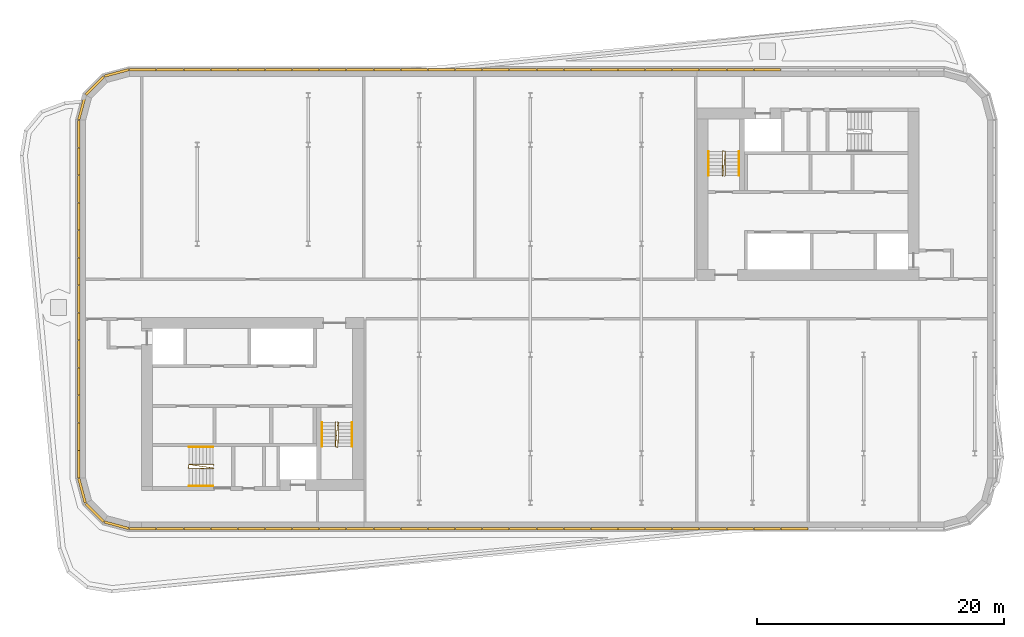
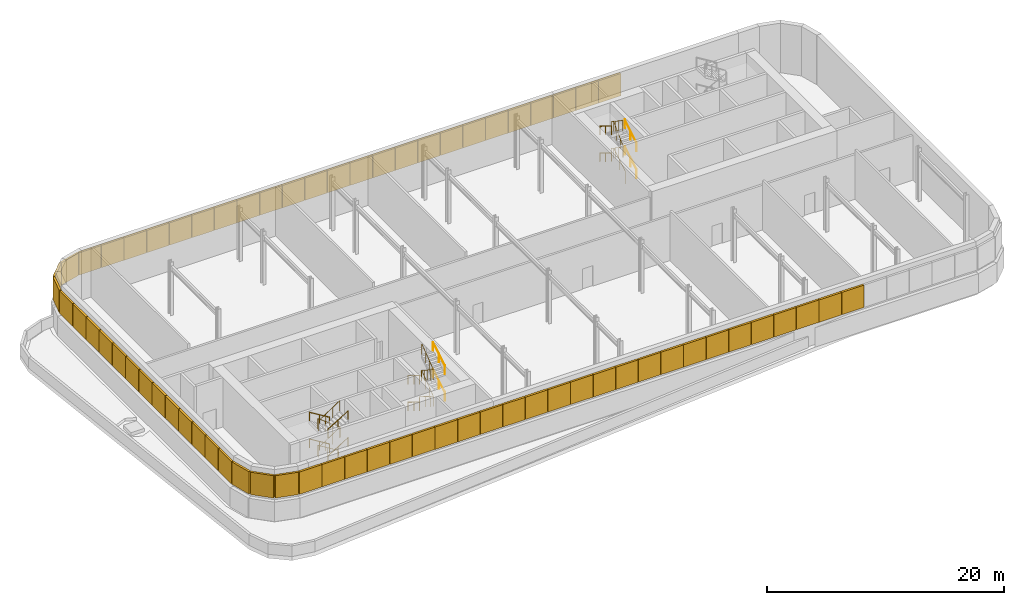
# One storey, part 14 of 16: 68 shading devices, 15 railings.
"""IFC4 building model written with IfcOpenShell, lengths in metres."""

from ifc_helpers import new_model, si_unit, direction, frame, origin, origin_2d, place, context, subcontext, project, spatial, rectangle, circle, extrude, material, type_object, element, save


model = new_model("IFC4")

# Units and contexts
model_context = context("Model", 3, precision=1e-05, world=origin(), true_north=direction((0.0, 1.0)))
body_context = subcontext(model_context, "Body", "Model", "MODEL_VIEW")
ifc_project = project(units=[si_unit("LENGTHUNIT", "METRE"), si_unit("AREAUNIT", "SQUARE_METRE"), si_unit("VOLUMEUNIT", "CUBIC_METRE"), si_unit("PLANEANGLEUNIT", "RADIAN"), si_unit("MASSUNIT", "GRAM", prefix="KILO")], contexts=[model_context])

# Site, building, storey
site_placement = place(None, origin())
site = spatial("IfcSite", under=ifc_project, at=site_placement, CompositionType="ELEMENT")
building_placement = place(site_placement, origin())
building = spatial("IfcBuilding", under=site, at=building_placement, Name="Kajstack Hotel Tower", CompositionType="ELEMENT")
storey_placement = place(building_placement, frame((0.0, 0.0, 308.10009765625)))
storey = spatial("IfcBuildingStorey", under=building, at=storey_placement, Name="L78", CompositionType="ELEMENT", Elevation=308.10009765625)

# Railings
ifc_material = material(Name="Steel S355J2", Category="steel")
railing_type_1 = type_object("IfcRailingType", Name="Stair guard 1100", PredefinedType="GUARDRAIL", material=ifc_material)
railing_1_placement = place(storey_placement, frame((-15.75, -9.949951171875, 0.0)))
element("IfcRailing", 1, at=railing_1_placement, inside=storey, type_object=railing_type_1, Name="L78 W2 stair guard 1", PredefinedType="GUARDRAIL", context=body_context, shape_type="SweptSolid", body=[
    extrude(circle(Radius=0.02392578125, at=origin_2d()), frame((0.0, 0.0, 1.076171875), z_axis=(-0.269255725606, -0.269255725606, 0.92466356501), x_axis=(0.707106781187, -0.707106781187, 0.0)), (0.0, 0.0, 1.0), 0.185791015625),
    extrude(circle(Radius=0.02392578125, at=origin_2d()), frame((-0.050048828125, -0.050048828125, 1.248046875), z_axis=(0.0, -0.852240978134, 0.523149419562), x_axis=(1.0, 0.0, 0.0)), (0.0, 0.0, 1.0), 2.2998046875),
    extrude(circle(Radius=0.02392578125, at=origin_2d()), frame((-0.050048828125, -2.010009765625, 2.451171875), z_axis=(0.970072785993, -0.242814311512, 0.0), x_axis=(0.242814311512, 0.970072785993, 0.0)), (0.0, 0.0, 1.0), 0.2060546875),
    extrude(circle(Radius=0.02392578125, at=origin_2d()), frame((0.14990234375, -2.06005859375, 2.451171875), z_axis=(0.0205469275, 0.825184654201, 0.564489247232), x_axis=(-0.999690144217, 0.024892078169, 0.0)), (0.0, 0.0, 1.0), 2.435791015625),
    extrude(circle(Radius=0.02392578125, at=origin_2d()), frame((0.199951171875, -0.050048828125, 3.826171875), z_axis=(-0.707106781187, 0.707106781187, 0.0), x_axis=(-0.707106781187, -0.707106781187, 0.0)), (0.0, 0.0, 1.0), 0.07080078125),
    extrude(circle(Radius=0.02392578125, at=origin_2d()), frame((0.14990234375, 0.0, 3.826171875), z_axis=(-0.081829463127, -0.822590927871, 0.562714940577), x_axis=(0.995088514891, -0.098989128349, 0.0)), (0.0, 0.0, 1.0), 2.443603515625),
    extrude(circle(Radius=0.02392578125, at=origin_2d()), frame((-0.050048828125, -2.010009765625, 5.201171875), z_axis=(0.970072785993, -0.242814311512, 0.0), x_axis=(0.242814311512, 0.970072785993, 0.0)), (0.0, 0.0, 1.0), 0.2060546875),
    extrude(circle(Radius=0.02392578125, at=origin_2d()), frame((0.14990234375, -2.06005859375, 5.201171875), z_axis=(0.0205469275, 0.825184654201, 0.564489247232), x_axis=(-0.999690144217, 0.024892078169, 0.0)), (0.0, 0.0, 1.0), 2.435791015625),
    extrude(circle(Radius=0.02099609375, at=origin_2d()), origin(), (0.0, 0.0, 1.0), 1.052001953125),
    extrude(circle(Radius=0.02099609375, at=origin_2d()), frame((-0.050048828125, -0.050048828125, 0.171875)), (0.0, 0.0, 1.0), 1.052001953125),
    extrude(circle(Radius=0.02099609375, at=origin_2d()), frame((-0.050048828125, -1.030029296875, 0.7734375)), (0.0, 0.0, 1.0), 1.052001953125),
    extrude(circle(Radius=0.02099609375, at=origin_2d()), frame((-0.050048828125, -2.010009765625, 1.375)), (0.0, 0.0, 1.0), 1.052001953125),
    extrude(circle(Radius=0.02099609375, at=origin_2d()), frame((0.14990234375, -2.06005859375, 1.375)), (0.0, 0.0, 1.0), 1.052001953125),
    extrude(circle(Radius=0.02099609375, at=origin_2d()), frame((0.16650390625, -1.39013671875, 1.833251953125)), (0.0, 0.0, 1.0), 1.052001953125),
    extrude(circle(Radius=0.02099609375, at=origin_2d()), frame((0.183349609375, -0.719970703125, 2.291748046875)), (0.0, 0.0, 1.0), 1.052001953125),
    extrude(circle(Radius=0.02099609375, at=origin_2d()), frame((0.199951171875, -0.050048828125, 2.75)), (0.0, 0.0, 1.0), 1.052001953125),
    extrude(circle(Radius=0.02099609375, at=origin_2d()), frame((0.14990234375, 0.0, 2.75)), (0.0, 0.0, 1.0), 1.052001953125),
    extrude(circle(Radius=0.02099609375, at=origin_2d()), frame((0.083251953125, -0.669921875, 3.208251953125)), (0.0, 0.0, 1.0), 1.052001953125),
    extrude(circle(Radius=0.02099609375, at=origin_2d()), frame((0.0166015625, -1.340087890625, 3.666748046875)), (0.0, 0.0, 1.0), 1.052001953125),
    extrude(circle(Radius=0.02099609375, at=origin_2d()), frame((-0.050048828125, -2.010009765625, 4.125)), (0.0, 0.0, 1.0), 1.052001953125),
    extrude(circle(Radius=0.02099609375, at=origin_2d()), frame((0.14990234375, -2.06005859375, 4.125)), (0.0, 0.0, 1.0), 1.052001953125),
    extrude(circle(Radius=0.02099609375, at=origin_2d()), frame((0.16650390625, -1.39013671875, 4.583251953125)), (0.0, 0.0, 1.0), 1.052001953125),
    extrude(circle(Radius=0.02099609375, at=origin_2d()), frame((0.183349609375, -0.719970703125, 5.041748046875)), (0.0, 0.0, 1.0), 1.052001953125),
    extrude(circle(Radius=0.02099609375, at=origin_2d()), frame((0.199951171875, -0.050048828125, 5.5)), (0.0, 0.0, 1.0), 1.052001953125),
])
railing_2_placement = place(storey_placement, frame((-25.64990234375, -13.449951171875, 0.0)))
element("IfcRailing", 2, at=railing_2_placement, inside=storey, type_object=railing_type_1, Name="L78 W3 stair guard 1", PredefinedType="GUARDRAIL", context=body_context, shape_type="SweptSolid", body=[
    extrude(circle(Radius=0.02392578125, at=origin_2d()), frame((0.0, 0.0, 1.076171875), z_axis=(-0.269255725606, 0.269255725606, 0.92466356501), x_axis=(-0.707106781187, -0.707106781187, 0.0)), (0.0, 0.0, 1.0), 0.185791015625),
    extrude(circle(Radius=0.02392578125, at=origin_2d()), frame((-0.050048828125, 0.050048828125, 1.248046875), z_axis=(-0.852240978134, 0.0, 0.523149419562), x_axis=(0.0, -1.0, 0.0)), (0.0, 0.0, 1.0), 2.2998046875),
    extrude(circle(Radius=0.02392578125, at=origin_2d()), frame((-2.010009765625, 0.050048828125, 2.451171875), z_axis=(-0.164529134168, -0.986372223864, 0.0), x_axis=(0.986372223864, -0.164529134168, 0.0)), (0.0, 0.0, 1.0), 0.30419921875),
    extrude(circle(Radius=0.02392578125, at=origin_2d()), frame((-2.06005859375, -0.25, 2.451171875), z_axis=(0.825184654201, -0.0205469275, 0.564489247232), x_axis=(0.024892078169, 0.999690144217, 0.0)), (0.0, 0.0, 1.0), 2.435791015625),
    extrude(circle(Radius=0.02392578125, at=origin_2d()), frame((-0.050048828125, -0.300048828125, 3.826171875), z_axis=(0.707106781187, 0.707106781187, 0.0), x_axis=(-0.707106781187, 0.707106781187, 0.0)), (0.0, 0.0, 1.0), 0.07080078125),
    extrude(circle(Radius=0.02392578125, at=origin_2d()), frame((0.0, -0.25, 3.826171875), z_axis=(-0.819164832413, 0.122282713353, 0.560371229947), x_axis=(-0.147641363338, -0.989040963677, 0.0)), (0.0, 0.0, 1.0), 2.45361328125),
    extrude(circle(Radius=0.02392578125, at=origin_2d()), frame((-2.010009765625, 0.050048828125, 5.201171875), z_axis=(-0.164529134168, -0.986372223864, 0.0), x_axis=(0.986372223864, -0.164529134168, 0.0)), (0.0, 0.0, 1.0), 0.30419921875),
    extrude(circle(Radius=0.02392578125, at=origin_2d()), frame((-2.06005859375, -0.25, 5.201171875), z_axis=(0.825184654201, -0.0205469275, 0.564489247232), x_axis=(0.024892078169, 0.999690144217, 0.0)), (0.0, 0.0, 1.0), 2.435791015625),
    extrude(circle(Radius=0.02099609375, at=origin_2d()), origin(), (0.0, 0.0, 1.0), 1.052001953125),
    extrude(circle(Radius=0.02099609375, at=origin_2d()), frame((-0.050048828125, 0.050048828125, 0.171875)), (0.0, 0.0, 1.0), 1.052001953125),
    extrude(circle(Radius=0.02099609375, at=origin_2d()), frame((-1.030029296875, 0.050048828125, 0.7734375)), (0.0, 0.0, 1.0), 1.052001953125),
    extrude(circle(Radius=0.02099609375, at=origin_2d()), frame((-2.010009765625, 0.050048828125, 1.375)), (0.0, 0.0, 1.0), 1.052001953125),
    extrude(circle(Radius=0.02099609375, at=origin_2d()), frame((-2.06005859375, -0.25, 1.375)), (0.0, 0.0, 1.0), 1.052001953125),
    extrude(circle(Radius=0.02099609375, at=origin_2d()), frame((-1.39013671875, -0.2666015625, 1.833251953125)), (0.0, 0.0, 1.0), 1.052001953125),
    extrude(circle(Radius=0.02099609375, at=origin_2d()), frame((-0.719970703125, -0.283447265625, 2.291748046875)), (0.0, 0.0, 1.0), 1.052001953125),
    extrude(circle(Radius=0.02099609375, at=origin_2d()), frame((-0.050048828125, -0.300048828125, 2.75)), (0.0, 0.0, 1.0), 1.052001953125),
    extrude(circle(Radius=0.02099609375, at=origin_2d()), frame((0.0, -0.25, 2.75)), (0.0, 0.0, 1.0), 1.052001953125),
    extrude(circle(Radius=0.02099609375, at=origin_2d()), frame((-0.669921875, -0.14990234375, 3.208251953125)), (0.0, 0.0, 1.0), 1.052001953125),
    extrude(circle(Radius=0.02099609375, at=origin_2d()), frame((-1.340087890625, -0.050048828125, 3.666748046875)), (0.0, 0.0, 1.0), 1.052001953125),
    extrude(circle(Radius=0.02099609375, at=origin_2d()), frame((-2.010009765625, 0.050048828125, 4.125)), (0.0, 0.0, 1.0), 1.052001953125),
    extrude(circle(Radius=0.02099609375, at=origin_2d()), frame((-2.06005859375, -0.25, 4.125)), (0.0, 0.0, 1.0), 1.052001953125),
    extrude(circle(Radius=0.02099609375, at=origin_2d()), frame((-1.39013671875, -0.2666015625, 4.583251953125)), (0.0, 0.0, 1.0), 1.052001953125),
    extrude(circle(Radius=0.02099609375, at=origin_2d()), frame((-0.719970703125, -0.283447265625, 5.041748046875)), (0.0, 0.0, 1.0), 1.052001953125),
    extrude(circle(Radius=0.02099609375, at=origin_2d()), frame((-0.050048828125, -0.300048828125, 5.5)), (0.0, 0.0, 1.0), 1.052001953125),
])
railing_3_placement = place(storey_placement, frame((15.75, 9.949951171875, 0.0)))
element("IfcRailing", 3, at=railing_3_placement, inside=storey, type_object=railing_type_1, Name="L78 E2 stair guard 1", PredefinedType="GUARDRAIL", context=body_context, shape_type="SweptSolid", body=[
    extrude(circle(Radius=0.02392578125, at=origin_2d()), frame((0.0, 0.0, 1.076171875), z_axis=(0.269255725606, 0.269255725606, 0.92466356501), x_axis=(-0.707106781187, 0.707106781187, 0.0)), (0.0, 0.0, 1.0), 0.185791015625),
    extrude(circle(Radius=0.02392578125, at=origin_2d()), frame((0.050048828125, 0.050048828125, 1.248046875), z_axis=(0.0, 0.852240978134, 0.523149419562), x_axis=(-1.0, 0.0, 0.0)), (0.0, 0.0, 1.0), 2.2998046875),
    extrude(circle(Radius=0.02392578125, at=origin_2d()), frame((0.050048828125, 2.010009765625, 2.451171875), z_axis=(-0.970072785993, 0.242814311512, 0.0), x_axis=(-0.242814311512, -0.970072785993, 0.0)), (0.0, 0.0, 1.0), 0.2060546875),
    extrude(circle(Radius=0.02392578125, at=origin_2d()), frame((-0.14990234375, 2.06005859375, 2.451171875), z_axis=(-0.0205469275, -0.825184654201, 0.564489247232), x_axis=(0.999690144217, -0.024892078169, 0.0)), (0.0, 0.0, 1.0), 2.435791015625),
    extrude(circle(Radius=0.02392578125, at=origin_2d()), frame((-0.199951171875, 0.050048828125, 3.826171875), z_axis=(0.707106781187, -0.707106781187, 0.0), x_axis=(0.707106781187, 0.707106781187, 0.0)), (0.0, 0.0, 1.0), 0.07080078125),
    extrude(circle(Radius=0.02392578125, at=origin_2d()), frame((-0.14990234375, 0.0, 3.826171875), z_axis=(0.081829463127, 0.822590927871, 0.562714940577), x_axis=(-0.995088514891, 0.098989128349, 0.0)), (0.0, 0.0, 1.0), 2.443603515625),
    extrude(circle(Radius=0.02392578125, at=origin_2d()), frame((0.050048828125, 2.010009765625, 5.201171875), z_axis=(-0.970072785993, 0.242814311512, 0.0), x_axis=(-0.242814311512, -0.970072785993, 0.0)), (0.0, 0.0, 1.0), 0.2060546875),
    extrude(circle(Radius=0.02392578125, at=origin_2d()), frame((-0.14990234375, 2.06005859375, 5.201171875), z_axis=(-0.0205469275, -0.825184654201, 0.564489247232), x_axis=(0.999690144217, -0.024892078169, 0.0)), (0.0, 0.0, 1.0), 2.435791015625),
    extrude(circle(Radius=0.02099609375, at=origin_2d()), origin(), (0.0, 0.0, 1.0), 1.052001953125),
    extrude(circle(Radius=0.02099609375, at=origin_2d()), frame((0.050048828125, 0.050048828125, 0.171875)), (0.0, 0.0, 1.0), 1.052001953125),
    extrude(circle(Radius=0.02099609375, at=origin_2d()), frame((0.050048828125, 1.030029296875, 0.7734375)), (0.0, 0.0, 1.0), 1.052001953125),
    extrude(circle(Radius=0.02099609375, at=origin_2d()), frame((0.050048828125, 2.010009765625, 1.375)), (0.0, 0.0, 1.0), 1.052001953125),
    extrude(circle(Radius=0.02099609375, at=origin_2d()), frame((-0.14990234375, 2.06005859375, 1.375)), (0.0, 0.0, 1.0), 1.052001953125),
    extrude(circle(Radius=0.02099609375, at=origin_2d()), frame((-0.16650390625, 1.39013671875, 1.833251953125)), (0.0, 0.0, 1.0), 1.052001953125),
    extrude(circle(Radius=0.02099609375, at=origin_2d()), frame((-0.183349609375, 0.719970703125, 2.291748046875)), (0.0, 0.0, 1.0), 1.052001953125),
    extrude(circle(Radius=0.02099609375, at=origin_2d()), frame((-0.199951171875, 0.050048828125, 2.75)), (0.0, 0.0, 1.0), 1.052001953125),
    extrude(circle(Radius=0.02099609375, at=origin_2d()), frame((-0.14990234375, 0.0, 2.75)), (0.0, 0.0, 1.0), 1.052001953125),
    extrude(circle(Radius=0.02099609375, at=origin_2d()), frame((-0.083251953125, 0.669921875, 3.208251953125)), (0.0, 0.0, 1.0), 1.052001953125),
    extrude(circle(Radius=0.02099609375, at=origin_2d()), frame((-0.0166015625, 1.340087890625, 3.666748046875)), (0.0, 0.0, 1.0), 1.052001953125),
    extrude(circle(Radius=0.02099609375, at=origin_2d()), frame((0.050048828125, 2.010009765625, 4.125)), (0.0, 0.0, 1.0), 1.052001953125),
    extrude(circle(Radius=0.02099609375, at=origin_2d()), frame((-0.14990234375, 2.06005859375, 4.125)), (0.0, 0.0, 1.0), 1.052001953125),
    extrude(circle(Radius=0.02099609375, at=origin_2d()), frame((-0.16650390625, 1.39013671875, 4.583251953125)), (0.0, 0.0, 1.0), 1.052001953125),
    extrude(circle(Radius=0.02099609375, at=origin_2d()), frame((-0.183349609375, 0.719970703125, 5.041748046875)), (0.0, 0.0, 1.0), 1.052001953125),
    extrude(circle(Radius=0.02099609375, at=origin_2d()), frame((-0.199951171875, 0.050048828125, 5.5)), (0.0, 0.0, 1.0), 1.052001953125),
])
railing_type_2 = type_object("IfcRailingType", Name="Stair handrail 900", PredefinedType="HANDRAIL", material=ifc_material)
railing_4_placement = place(storey_placement, frame((-16.89990234375, -10.0, 0.171875)))
element("IfcRailing", 4, at=railing_4_placement, inside=storey, type_object=railing_type_2, Name="L78 W2 stair handrail 1", PredefinedType="HANDRAIL", context=body_context, shape_type="SweptSolid", body=[
    extrude(circle(Radius=0.02392578125, at=origin_2d()), frame((0.0, 0.0, 0.8759765625), z_axis=(0.0, -0.852240978134, 0.523149419562), x_axis=(1.0, 0.0, 0.0)), (0.0, 0.0, 1.0), 2.2998046875),
    extrude(circle(Radius=0.02099609375, at=origin_2d()), origin(), (0.0, 0.0, 1.0), 0.851806640625),
    extrude(circle(Radius=0.02099609375, at=origin_2d()), frame((0.0, -0.97998046875, 0.6015625)), (0.0, 0.0, 1.0), 0.851806640625),
    extrude(circle(Radius=0.02099609375, at=origin_2d()), frame((0.0, -1.9599609375, 1.203125)), (0.0, 0.0, 1.0), 0.851806640625),
])
railing_5_placement = place(storey_placement, frame((-14.449951171875, -11.9599609375, 1.546875)))
element("IfcRailing", 5, at=railing_5_placement, inside=storey, type_object=railing_type_2, Name="L78 W2 stair handrail 2", PredefinedType="HANDRAIL", context=body_context, shape_type="SweptSolid", body=[
    extrude(circle(Radius=0.02392578125, at=origin_2d()), frame((0.0, 0.0, 0.8759765625), z_axis=(0.0, 0.852240978134, 0.523149419562), x_axis=(-1.0, 0.0, 0.0)), (0.0, 0.0, 1.0), 2.2998046875),
    extrude(circle(Radius=0.02099609375, at=origin_2d()), origin(), (0.0, 0.0, 1.0), 0.851806640625),
    extrude(circle(Radius=0.02099609375, at=origin_2d()), frame((0.0, 0.97998046875, 0.6015625)), (0.0, 0.0, 1.0), 0.851806640625),
    extrude(circle(Radius=0.02099609375, at=origin_2d()), frame((0.0, 1.9599609375, 1.203125)), (0.0, 0.0, 1.0), 0.851806640625),
])
railing_6_placement = place(storey_placement, frame((-16.89990234375, -10.0, 2.921875)))
element("IfcRailing", 6, at=railing_6_placement, inside=storey, type_object=railing_type_2, Name="L78 W2 stair handrail 3", PredefinedType="HANDRAIL", context=body_context, shape_type="SweptSolid", body=[
    extrude(circle(Radius=0.02392578125, at=origin_2d()), frame((0.0, 0.0, 0.8759765625), z_axis=(0.0, -0.852240978134, 0.523149419562), x_axis=(1.0, 0.0, 0.0)), (0.0, 0.0, 1.0), 2.2998046875),
    extrude(circle(Radius=0.02099609375, at=origin_2d()), origin(), (0.0, 0.0, 1.0), 0.851806640625),
    extrude(circle(Radius=0.02099609375, at=origin_2d()), frame((0.0, -0.97998046875, 0.6015625)), (0.0, 0.0, 1.0), 0.851806640625),
    extrude(circle(Radius=0.02099609375, at=origin_2d()), frame((0.0, -1.9599609375, 1.203125)), (0.0, 0.0, 1.0), 0.851806640625),
])
railing_7_placement = place(storey_placement, frame((-14.449951171875, -11.9599609375, 4.296875)))
element("IfcRailing", 7, at=railing_7_placement, inside=storey, type_object=railing_type_2, Name="L78 W2 stair handrail 4", PredefinedType="HANDRAIL", context=body_context, shape_type="SweptSolid", body=[
    extrude(circle(Radius=0.02392578125, at=origin_2d()), frame((0.0, 0.0, 0.8759765625), z_axis=(0.0, 0.852240978134, 0.523149419562), x_axis=(-1.0, 0.0, 0.0)), (0.0, 0.0, 1.0), 2.2998046875),
    extrude(circle(Radius=0.02099609375, at=origin_2d()), origin(), (0.0, 0.0, 1.0), 0.851806640625),
    extrude(circle(Radius=0.02099609375, at=origin_2d()), frame((0.0, 0.97998046875, 0.6015625)), (0.0, 0.0, 1.0), 0.851806640625),
    extrude(circle(Radius=0.02099609375, at=origin_2d()), frame((0.0, 1.9599609375, 1.203125)), (0.0, 0.0, 1.0), 0.851806640625),
])
railing_8_placement = place(storey_placement, frame((-25.699951171875, -12.0, 0.171875)))
element("IfcRailing", 8, at=railing_8_placement, inside=storey, type_object=railing_type_2, Name="L78 W3 stair handrail 1", PredefinedType="HANDRAIL", context=body_context, shape_type="SweptSolid", body=[
    extrude(circle(Radius=0.02392578125, at=origin_2d()), frame((0.0, 0.0, 0.8759765625), z_axis=(-0.852240978134, 0.0, 0.523149419562), x_axis=(0.0, -1.0, 0.0)), (0.0, 0.0, 1.0), 2.2998046875),
    extrude(circle(Radius=0.02099609375, at=origin_2d()), origin(), (0.0, 0.0, 1.0), 0.851806640625),
    extrude(circle(Radius=0.02099609375, at=origin_2d()), frame((-0.97998046875, 0.0, 0.6015625)), (0.0, 0.0, 1.0), 0.851806640625),
    extrude(circle(Radius=0.02099609375, at=origin_2d()), frame((-1.9599609375, 0.0, 1.203125)), (0.0, 0.0, 1.0), 0.851806640625),
])
railing_9_placement = place(storey_placement, frame((-27.659912109375, -15.14990234375, 1.546875)))
element("IfcRailing", 9, at=railing_9_placement, inside=storey, type_object=railing_type_2, Name="L78 W3 stair handrail 2", PredefinedType="HANDRAIL", context=body_context, shape_type="SweptSolid", body=[
    extrude(circle(Radius=0.02392578125, at=origin_2d()), frame((0.0, 0.0, 0.8759765625), z_axis=(0.852240978134, 0.0, 0.523149419562), x_axis=(0.0, 1.0, 0.0)), (0.0, 0.0, 1.0), 2.2998046875),
    extrude(circle(Radius=0.02099609375, at=origin_2d()), origin(), (0.0, 0.0, 1.0), 0.851806640625),
    extrude(circle(Radius=0.02099609375, at=origin_2d()), frame((0.97998046875, 0.0, 0.6015625)), (0.0, 0.0, 1.0), 0.851806640625),
    extrude(circle(Radius=0.02099609375, at=origin_2d()), frame((1.9599609375, 0.0, 1.203125)), (0.0, 0.0, 1.0), 0.851806640625),
])
railing_10_placement = place(storey_placement, frame((-25.699951171875, -12.0, 2.921875)))
element("IfcRailing", 10, at=railing_10_placement, inside=storey, type_object=railing_type_2, Name="L78 W3 stair handrail 3", PredefinedType="HANDRAIL", context=body_context, shape_type="SweptSolid", body=[
    extrude(circle(Radius=0.02392578125, at=origin_2d()), frame((0.0, 0.0, 0.8759765625), z_axis=(-0.852240978134, 0.0, 0.523149419562), x_axis=(0.0, -1.0, 0.0)), (0.0, 0.0, 1.0), 2.2998046875),
    extrude(circle(Radius=0.02099609375, at=origin_2d()), origin(), (0.0, 0.0, 1.0), 0.851806640625),
    extrude(circle(Radius=0.02099609375, at=origin_2d()), frame((-0.97998046875, 0.0, 0.6015625)), (0.0, 0.0, 1.0), 0.851806640625),
    extrude(circle(Radius=0.02099609375, at=origin_2d()), frame((-1.9599609375, 0.0, 1.203125)), (0.0, 0.0, 1.0), 0.851806640625),
])
railing_11_placement = place(storey_placement, frame((-27.659912109375, -15.14990234375, 4.296875)))
element("IfcRailing", 11, at=railing_11_placement, inside=storey, type_object=railing_type_2, Name="L78 W3 stair handrail 4", PredefinedType="HANDRAIL", context=body_context, shape_type="SweptSolid", body=[
    extrude(circle(Radius=0.02392578125, at=origin_2d()), frame((0.0, 0.0, 0.8759765625), z_axis=(0.852240978134, 0.0, 0.523149419562), x_axis=(0.0, 1.0, 0.0)), (0.0, 0.0, 1.0), 2.2998046875),
    extrude(circle(Radius=0.02099609375, at=origin_2d()), origin(), (0.0, 0.0, 1.0), 0.851806640625),
    extrude(circle(Radius=0.02099609375, at=origin_2d()), frame((0.97998046875, 0.0, 0.6015625)), (0.0, 0.0, 1.0), 0.851806640625),
    extrude(circle(Radius=0.02099609375, at=origin_2d()), frame((1.9599609375, 0.0, 1.203125)), (0.0, 0.0, 1.0), 0.851806640625),
])
railing_12_placement = place(storey_placement, frame((16.89990234375, 10.0, 0.171875)))
element("IfcRailing", 12, at=railing_12_placement, inside=storey, type_object=railing_type_2, Name="L78 E2 stair handrail 1", PredefinedType="HANDRAIL", context=body_context, shape_type="SweptSolid", body=[
    extrude(circle(Radius=0.02392578125, at=origin_2d()), frame((0.0, 0.0, 0.8759765625), z_axis=(0.0, 0.852240978134, 0.523149419562), x_axis=(-1.0, 0.0, 0.0)), (0.0, 0.0, 1.0), 2.2998046875),
    extrude(circle(Radius=0.02099609375, at=origin_2d()), origin(), (0.0, 0.0, 1.0), 0.851806640625),
    extrude(circle(Radius=0.02099609375, at=origin_2d()), frame((0.0, 0.97998046875, 0.6015625)), (0.0, 0.0, 1.0), 0.851806640625),
    extrude(circle(Radius=0.02099609375, at=origin_2d()), frame((0.0, 1.9599609375, 1.203125)), (0.0, 0.0, 1.0), 0.851806640625),
])
railing_13_placement = place(storey_placement, frame((14.449951171875, 11.9599609375, 1.546875)))
element("IfcRailing", 13, at=railing_13_placement, inside=storey, type_object=railing_type_2, Name="L78 E2 stair handrail 2", PredefinedType="HANDRAIL", context=body_context, shape_type="SweptSolid", body=[
    extrude(circle(Radius=0.02392578125, at=origin_2d()), frame((0.0, 0.0, 0.8759765625), z_axis=(0.0, -0.852240978134, 0.523149419562), x_axis=(1.0, 0.0, 0.0)), (0.0, 0.0, 1.0), 2.2998046875),
    extrude(circle(Radius=0.02099609375, at=origin_2d()), origin(), (0.0, 0.0, 1.0), 0.851806640625),
    extrude(circle(Radius=0.02099609375, at=origin_2d()), frame((0.0, -0.97998046875, 0.6015625)), (0.0, 0.0, 1.0), 0.851806640625),
    extrude(circle(Radius=0.02099609375, at=origin_2d()), frame((0.0, -1.9599609375, 1.203125)), (0.0, 0.0, 1.0), 0.851806640625),
])
railing_14_placement = place(storey_placement, frame((16.89990234375, 10.0, 2.921875)))
element("IfcRailing", 14, at=railing_14_placement, inside=storey, type_object=railing_type_2, Name="L78 E2 stair handrail 3", PredefinedType="HANDRAIL", context=body_context, shape_type="SweptSolid", body=[
    extrude(circle(Radius=0.02392578125, at=origin_2d()), frame((0.0, 0.0, 0.8759765625), z_axis=(0.0, 0.852240978134, 0.523149419562), x_axis=(-1.0, 0.0, 0.0)), (0.0, 0.0, 1.0), 2.2998046875),
    extrude(circle(Radius=0.02099609375, at=origin_2d()), origin(), (0.0, 0.0, 1.0), 0.851806640625),
    extrude(circle(Radius=0.02099609375, at=origin_2d()), frame((0.0, 0.97998046875, 0.6015625)), (0.0, 0.0, 1.0), 0.851806640625),
    extrude(circle(Radius=0.02099609375, at=origin_2d()), frame((0.0, 1.9599609375, 1.203125)), (0.0, 0.0, 1.0), 0.851806640625),
])
railing_15_placement = place(storey_placement, frame((14.449951171875, 11.9599609375, 4.296875)))
element("IfcRailing", 15, at=railing_15_placement, inside=storey, type_object=railing_type_2, Name="L78 E2 stair handrail 4", PredefinedType="HANDRAIL", context=body_context, shape_type="SweptSolid", body=[
    extrude(circle(Radius=0.02392578125, at=origin_2d()), frame((0.0, 0.0, 0.8759765625), z_axis=(0.0, -0.852240978134, 0.523149419562), x_axis=(1.0, 0.0, 0.0)), (0.0, 0.0, 1.0), 2.2998046875),
    extrude(circle(Radius=0.02099609375, at=origin_2d()), origin(), (0.0, 0.0, 1.0), 0.851806640625),
    extrude(circle(Radius=0.02099609375, at=origin_2d()), frame((0.0, -0.97998046875, 0.6015625)), (0.0, 0.0, 1.0), 0.851806640625),
    extrude(circle(Radius=0.02099609375, at=origin_2d()), frame((0.0, -1.9599609375, 1.203125)), (0.0, 0.0, 1.0), 0.851806640625),
])

# Shading devices
for number, where, z_axis, x_axis, name in (
    (16, (-36.32861328125, -15.52587890625, 2.2998046875), (0.0, 0.0, 1.0), (0.258819770022, -0.965925632047, 0.0), "Louvre L78-00-01"),
    (17, (-35.302734375, -17.302734375, 2.2998046875), (0.0, 0.0, 1.0), (0.707106781187, -0.707106781187, 0.0), "Louvre L78-01-01"),
    (18, (-33.52587890625, -18.32861328125, 2.2998046875), (0.0, 0.0, 1.0), (0.965925632047, -0.258819770022, 0.0), "Louvre L78-02-01"),
):
    element("IfcShadingDevice", number, at=place(storey_placement, frame(where, z_axis=z_axis, x_axis=x_axis)), inside=storey, Name=name, ObjectType="LOUVRE", PredefinedType="USERDEFINED", context=body_context, shape_type="SweptSolid", body=[
        extrude(rectangle(XDim=2.030517578125, YDim=0.199951171875, at=origin_2d()), origin(), (0.0, 0.0, 1.0), 2.300048828125),
    ])
for number, where, z_axis, x_axis, name in (
    (19, (-31.39990234375, -18.60009765625, 2.2998046875), (0.0, 0.0, 1.0), (1.0, 0.0, 0.0), "Louvre L78-03-01"),
    (20, (-29.199951171875, -18.60009765625, 2.2998046875), (0.0, 0.0, 1.0), (1.0, 0.0, 0.0), "Louvre L78-03-02"),
    (21, (-27.0, -18.60009765625, 2.2998046875), (0.0, 0.0, 1.0), (1.0, 0.0, 0.0), "Louvre L78-03-03"),
    (22, (-24.800048828125, -18.60009765625, 2.2998046875), (0.0, 0.0, 1.0), (1.0, 0.0, 0.0), "Louvre L78-03-04"),
    (23, (-22.60009765625, -18.60009765625, 2.2998046875), (0.0, 0.0, 1.0), (1.0, 0.0, 0.0), "Louvre L78-03-05"),
    (24, (-20.39990234375, -18.60009765625, 2.2998046875), (0.0, 0.0, 1.0), (1.0, 0.0, 0.0), "Louvre L78-03-06"),
    (25, (-18.199951171875, -18.60009765625, 2.2998046875), (0.0, 0.0, 1.0), (1.0, 0.0, 0.0), "Louvre L78-03-07"),
    (26, (-16.0, -18.60009765625, 2.2998046875), (0.0, 0.0, 1.0), (1.0, 0.0, 0.0), "Louvre L78-03-08"),
    (27, (-13.800048828125, -18.60009765625, 2.2998046875), (0.0, 0.0, 1.0), (1.0, 0.0, 0.0), "Louvre L78-03-09"),
    (28, (-11.60009765625, -18.60009765625, 2.2998046875), (0.0, 0.0, 1.0), (1.0, 0.0, 0.0), "Louvre L78-03-10"),
    (29, (-9.39990234375, -18.60009765625, 2.2998046875), (0.0, 0.0, 1.0), (1.0, 0.0, 0.0), "Louvre L78-03-11"),
    (30, (-7.199951171875, -18.60009765625, 2.2998046875), (0.0, 0.0, 1.0), (1.0, 0.0, 0.0), "Louvre L78-03-12"),
    (31, (-5.0, -18.60009765625, 2.2998046875), (0.0, 0.0, 1.0), (1.0, 0.0, 0.0), "Louvre L78-03-13"),
    (32, (-2.800048828125, -18.60009765625, 2.2998046875), (0.0, 0.0, 1.0), (1.0, 0.0, 0.0), "Louvre L78-03-14"),
    (33, (-0.60009765625, -18.60009765625, 2.2998046875), (0.0, 0.0, 1.0), (1.0, 0.0, 0.0), "Louvre L78-03-15"),
    (34, (1.60009765625, -18.60009765625, 2.2998046875), (0.0, 0.0, 1.0), (1.0, 0.0, 0.0), "Louvre L78-03-16"),
    (35, (3.800048828125, -18.60009765625, 2.2998046875), (0.0, 0.0, 1.0), (1.0, 0.0, 0.0), "Louvre L78-03-17"),
    (36, (6.0, -18.60009765625, 2.2998046875), (0.0, 0.0, 1.0), (1.0, 0.0, 0.0), "Louvre L78-03-18"),
    (37, (8.199951171875, -18.60009765625, 2.2998046875), (0.0, 0.0, 1.0), (1.0, 0.0, 0.0), "Louvre L78-03-19"),
    (38, (10.39990234375, -18.60009765625, 2.2998046875), (0.0, 0.0, 1.0), (1.0, 0.0, 0.0), "Louvre L78-03-20"),
    (39, (12.60009765625, -18.60009765625, 2.2998046875), (0.0, 0.0, 1.0), (1.0, 0.0, 0.0), "Louvre L78-03-21"),
    (40, (14.800048828125, -18.60009765625, 2.2998046875), (0.0, 0.0, 1.0), (1.0, 0.0, 0.0), "Louvre L78-03-22"),
    (41, (17.0, -18.60009765625, 2.2998046875), (0.0, 0.0, 1.0), (1.0, 0.0, 0.0), "Louvre L78-03-23"),
    (42, (19.199951171875, -18.60009765625, 2.2998046875), (0.0, 0.0, 1.0), (1.0, 0.0, 0.0), "Louvre L78-03-24"),
    (43, (21.39990234375, -18.60009765625, 2.2998046875), (0.0, 0.0, 1.0), (1.0, 0.0, 0.0), "Louvre L78-03-25"),
    (44, (19.199951171875, 18.60009765625, 2.2998046875), (0.0, 0.0, 1.0), (-1.0, 0.0, 0.0), "Louvre L78-11-07"),
    (45, (17.0, 18.60009765625, 2.2998046875), (0.0, 0.0, 1.0), (-1.0, 0.0, 0.0), "Louvre L78-11-08"),
    (46, (14.800048828125, 18.60009765625, 2.2998046875), (0.0, 0.0, 1.0), (-1.0, 0.0, 0.0), "Louvre L78-11-09"),
    (47, (12.60009765625, 18.60009765625, 2.2998046875), (0.0, 0.0, 1.0), (-1.0, 0.0, 0.0), "Louvre L78-11-10"),
    (48, (10.39990234375, 18.60009765625, 2.2998046875), (0.0, 0.0, 1.0), (-1.0, 0.0, 0.0), "Louvre L78-11-11"),
    (49, (8.199951171875, 18.60009765625, 2.2998046875), (0.0, 0.0, 1.0), (-1.0, 0.0, 0.0), "Louvre L78-11-12"),
    (50, (6.0, 18.60009765625, 2.2998046875), (0.0, 0.0, 1.0), (-1.0, 0.0, 0.0), "Louvre L78-11-13"),
    (51, (3.800048828125, 18.60009765625, 2.2998046875), (0.0, 0.0, 1.0), (-1.0, 0.0, 0.0), "Louvre L78-11-14"),
    (52, (1.60009765625, 18.60009765625, 2.2998046875), (0.0, 0.0, 1.0), (-1.0, 0.0, 0.0), "Louvre L78-11-15"),
    (53, (-0.60009765625, 18.60009765625, 2.2998046875), (0.0, 0.0, 1.0), (-1.0, 0.0, 0.0), "Louvre L78-11-16"),
    (54, (-2.800048828125, 18.60009765625, 2.2998046875), (0.0, 0.0, 1.0), (-1.0, 0.0, 0.0), "Louvre L78-11-17"),
    (55, (-5.0, 18.60009765625, 2.2998046875), (0.0, 0.0, 1.0), (-1.0, 0.0, 0.0), "Louvre L78-11-18"),
    (56, (-7.199951171875, 18.60009765625, 2.2998046875), (0.0, 0.0, 1.0), (-1.0, 0.0, 0.0), "Louvre L78-11-19"),
    (57, (-9.39990234375, 18.60009765625, 2.2998046875), (0.0, 0.0, 1.0), (-1.0, 0.0, 0.0), "Louvre L78-11-20"),
    (58, (-11.60009765625, 18.60009765625, 2.2998046875), (0.0, 0.0, 1.0), (-1.0, 0.0, 0.0), "Louvre L78-11-21"),
    (59, (-13.800048828125, 18.60009765625, 2.2998046875), (0.0, 0.0, 1.0), (-1.0, 0.0, 0.0), "Louvre L78-11-22"),
    (60, (-16.0, 18.60009765625, 2.2998046875), (0.0, 0.0, 1.0), (-1.0, 0.0, 0.0), "Louvre L78-11-23"),
    (61, (-18.199951171875, 18.60009765625, 2.2998046875), (0.0, 0.0, 1.0), (-1.0, 0.0, 0.0), "Louvre L78-11-24"),
    (62, (-20.39990234375, 18.60009765625, 2.2998046875), (0.0, 0.0, 1.0), (-1.0, 0.0, 0.0), "Louvre L78-11-25"),
    (63, (-22.60009765625, 18.60009765625, 2.2998046875), (0.0, 0.0, 1.0), (-1.0, 0.0, 0.0), "Louvre L78-11-26"),
    (64, (-24.800048828125, 18.60009765625, 2.2998046875), (0.0, 0.0, 1.0), (-1.0, 0.0, 0.0), "Louvre L78-11-27"),
    (65, (-27.0, 18.60009765625, 2.2998046875), (0.0, 0.0, 1.0), (-1.0, 0.0, 0.0), "Louvre L78-11-28"),
    (66, (-29.199951171875, 18.60009765625, 2.2998046875), (0.0, 0.0, 1.0), (-1.0, 0.0, 0.0), "Louvre L78-11-29"),
    (67, (-31.39990234375, 18.60009765625, 2.2998046875), (0.0, 0.0, 1.0), (-1.0, 0.0, 0.0), "Louvre L78-11-30"),
):
    element("IfcShadingDevice", number, at=place(storey_placement, frame(where, z_axis=z_axis, x_axis=x_axis)), inside=storey, Name=name, ObjectType="LOUVRE", PredefinedType="USERDEFINED", context=body_context, shape_type="SweptSolid", body=[
        extrude(rectangle(XDim=2.159912109375, YDim=0.199951171875, at=origin_2d()), origin(), (0.0, 0.0, 1.0), 2.300048828125),
    ])
for number, where, z_axis, x_axis, name in (
    (68, (-33.52587890625, 18.32861328125, 2.2998046875), (0.0, 0.0, 1.0), (-0.965925632047, -0.258819770022, 0.0), "Louvre L78-12-01"),
    (69, (-35.302734375, 17.302734375, 2.2998046875), (0.0, 0.0, 1.0), (-0.707106781187, -0.707106781187, 0.0), "Louvre L78-13-01"),
    (70, (-36.32861328125, 15.52587890625, 2.2998046875), (0.0, 0.0, 1.0), (-0.258819770022, -0.965925632047, 0.0), "Louvre L78-14-01"),
):
    element("IfcShadingDevice", number, at=place(storey_placement, frame(where, z_axis=z_axis, x_axis=x_axis)), inside=storey, Name=name, ObjectType="LOUVRE", PredefinedType="USERDEFINED", context=body_context, shape_type="SweptSolid", body=[
        extrude(rectangle(XDim=2.030517578125, YDim=0.199951171875, at=origin_2d()), origin(), (0.0, 0.0, 1.0), 2.300048828125),
    ])
for number, where, z_axis, x_axis, name in (
    (71, (-36.60009765625, 13.384521484375, 2.2998046875), (0.0, 0.0, 1.0), (0.0, -1.0, 0.0), "Louvre L78-15-01"),
    (72, (-36.60009765625, 11.15380859375, 2.2998046875), (0.0, 0.0, 1.0), (0.0, -1.0, 0.0), "Louvre L78-15-02"),
    (73, (-36.60009765625, 8.923095703125, 2.2998046875), (0.0, 0.0, 1.0), (0.0, -1.0, 0.0), "Louvre L78-15-03"),
    (74, (-36.60009765625, 6.6923828125, 2.2998046875), (0.0, 0.0, 1.0), (0.0, -1.0, 0.0), "Louvre L78-15-04"),
    (75, (-36.60009765625, 4.46142578125, 2.2998046875), (0.0, 0.0, 1.0), (0.0, -1.0, 0.0), "Louvre L78-15-05"),
    (76, (-36.60009765625, 2.230712890625, 2.2998046875), (0.0, 0.0, 1.0), (0.0, -1.0, 0.0), "Louvre L78-15-06"),
    (77, (-36.60009765625, 0.0, 2.2998046875), (0.0, 0.0, 1.0), (0.0, -1.0, 0.0), "Louvre L78-15-07"),
    (78, (-36.60009765625, -2.230712890625, 2.2998046875), (0.0, 0.0, 1.0), (0.0, -1.0, 0.0), "Louvre L78-15-08"),
    (79, (-36.60009765625, -4.46142578125, 2.2998046875), (0.0, 0.0, 1.0), (0.0, -1.0, 0.0), "Louvre L78-15-09"),
    (80, (-36.60009765625, -6.6923828125, 2.2998046875), (0.0, 0.0, 1.0), (0.0, -1.0, 0.0), "Louvre L78-15-10"),
    (81, (-36.60009765625, -8.923095703125, 2.2998046875), (0.0, 0.0, 1.0), (0.0, -1.0, 0.0), "Louvre L78-15-11"),
    (82, (-36.60009765625, -11.15380859375, 2.2998046875), (0.0, 0.0, 1.0), (0.0, -1.0, 0.0), "Louvre L78-15-12"),
    (83, (-36.60009765625, -13.384521484375, 2.2998046875), (0.0, 0.0, 1.0), (0.0, -1.0, 0.0), "Louvre L78-15-13"),
):
    element("IfcShadingDevice", number, at=place(storey_placement, frame(where, z_axis=z_axis, x_axis=x_axis)), inside=storey, Name=name, ObjectType="LOUVRE", PredefinedType="USERDEFINED", context=body_context, shape_type="SweptSolid", body=[
        extrude(rectangle(XDim=2.190673828125, YDim=0.199951171875, at=origin_2d()), origin(), (0.0, 0.0, 1.0), 2.300048828125),
    ])

save(model, "model.ifc")
